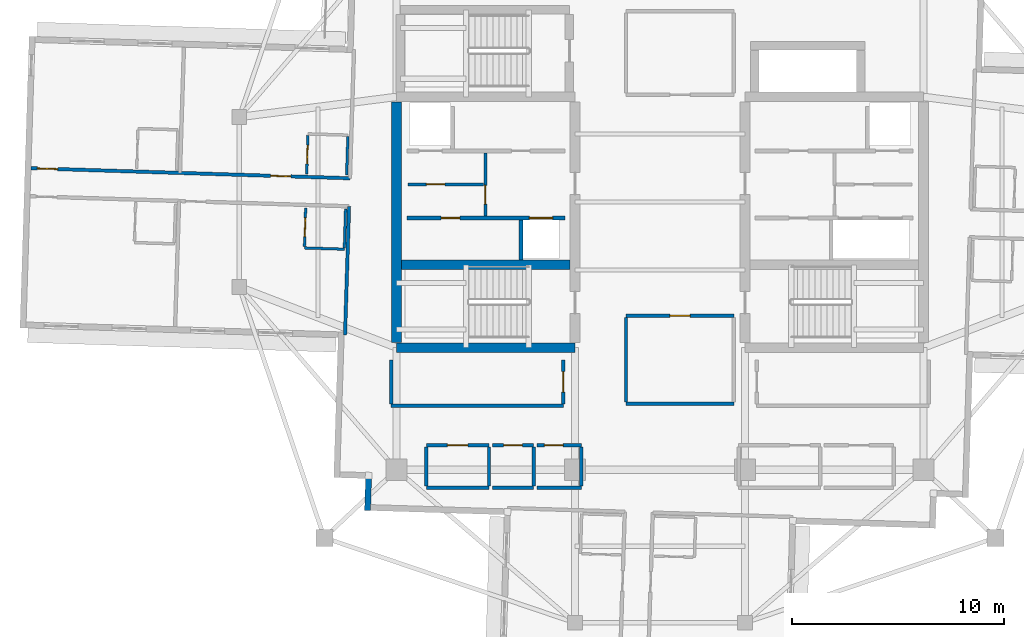
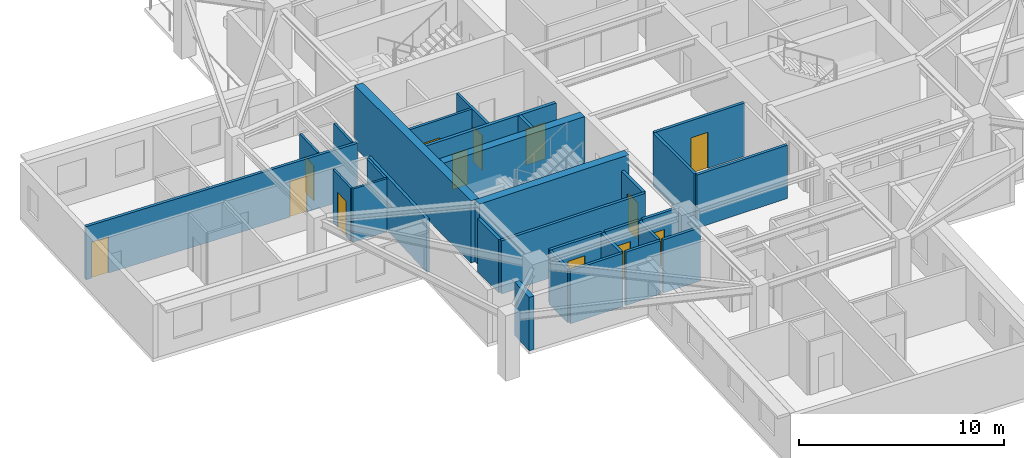
# One storey, part 4 of 13: 31 walls, 13 doors, 13 openings.
"""IFC4 building model written with IfcOpenShell, lengths in metres."""

from ifc_helpers import new_model, si_unit, direction, frame, frame_2d, origin, place, context, subcontext, project, spatial, rectangle, extrude, material, layer, layer_set, type_object, element, fill, save


model = new_model("IFC4")

# Units and contexts
model_context = context("Model", 3, precision=1e-05, world=origin(), true_north=direction((0.0, 1.0)))
body_context = subcontext(model_context, "Body", "Model", "MODEL_VIEW")
ifc_project = project(units=[si_unit("LENGTHUNIT", "METRE"), si_unit("AREAUNIT", "SQUARE_METRE"), si_unit("VOLUMEUNIT", "CUBIC_METRE"), si_unit("PLANEANGLEUNIT", "RADIAN"), si_unit("MASSUNIT", "GRAM", prefix="KILO")], contexts=[model_context])

# Site, building, storey
site_placement = place(None, origin())
site = spatial("IfcSite", under=ifc_project, at=site_placement, CompositionType="ELEMENT")
building_placement = place(site_placement, origin())
building = spatial("IfcBuilding", under=site, at=building_placement, Name="Qingluan Cross Belvedere", CompositionType="ELEMENT")
storey_placement = place(building_placement, frame((0.0, 0.0, 257.699951171875)))
storey = spatial("IfcBuildingStorey", under=building, at=storey_placement, Name="L64", CompositionType="ELEMENT", Elevation=257.699951171875)

# Walls
ifc_material_1 = material(Name="Concrete C50", Category="concrete")
ifc_layer_1 = layer(ifc_material_1, 0.449951171875, Name="CoreShearWall_450")
ifc_layer_set_1 = layer_set([ifc_layer_1], Name="Concrete C50")
wall_type_1 = type_object("IfcWallType", Name="CoreShearWall_450", PredefinedType="SHEAR", material=ifc_layer_set_1)
wall_1_placement = place(storey_placement, frame((-12.39990234375, -6.85009765625, 0.0), z_axis=(0.0, 0.0, 1.0), x_axis=(1.0, 0.0, 0.0)))
element("IfcWall", 1, at=wall_1_placement, inside=storey, type_object=wall_type_1, Name="Split core W shear wall L64-S", PredefinedType="SHEAR", context=body_context, shape_type="SweptSolid", body=[
    extrude(rectangle(XDim=8.39990234375, YDim=0.449951171875, at=frame_2d((4.199951171875, 0.0))), origin(), (0.0, 0.0, 1.0), 3.699951171875),
])
wall_2_placement = place(storey_placement, frame((-12.39990234375, -6.6201171875, 0.0), z_axis=(0.0, 0.0, 1.0), x_axis=(0.0, 1.0, 0.0)))
element("IfcWall", 2, at=wall_2_placement, inside=storey, type_object=wall_type_1, Name="Split core W shear wall L64-W", PredefinedType="SHEAR", context=body_context, shape_type="SweptSolid", body=[
    extrude(rectangle(XDim=11.340087890625, YDim=0.449951171875, at=frame_2d((5.669921875, 0.0))), origin(), (0.0, 0.0, 1.0), 3.699951171875),
])
wall_3_placement = place(storey_placement, frame((-12.169921875, -2.9599609375, 0.0), z_axis=(0.0, 0.0, 1.0), x_axis=(1.0, 0.0, 0.0)))
element("IfcWall", 3, at=wall_3_placement, inside=storey, type_object=wall_type_1, Name="Split core W shear wall L64-M", PredefinedType="SHEAR", context=body_context, shape_type="SweptSolid", body=[
    extrude(rectangle(XDim=7.93994140625, YDim=0.449951171875, at=frame_2d((3.969970703125, 0.0))), origin(), (0.0, 0.0, 1.0), 3.699951171875),
])

# Wall, opening, door
ifc_material_2 = material(Name="Gypsum plasterboard on steel stud acoustic partition", Category="steel")
ifc_layer_2 = layer(ifc_material_2, 0.159912109375, Name="CorridorPartition_160")
ifc_layer_set_2 = layer_set([ifc_layer_2], Name="Gypsum plasterboard on steel stud acoustic partition")
wall_type_2 = type_object("IfcWallType", Name="CorridorPartition_160", PredefinedType="PARTITIONING", material=ifc_layer_set_2)
wall_4_placement = place(storey_placement, frame((-11.85009765625, 0.830078125, 0.0), z_axis=(0.0, 0.0, 1.0), x_axis=(1.0, 0.0, 0.0)))
wall_4 = element("IfcWall", 4, at=wall_4_placement, inside=storey, type_object=wall_type_2, Name="Partition L64:w", PredefinedType="PARTITIONING", context=body_context, shape_type="SweptSolid", body=[
    extrude(rectangle(XDim=3.552001953125, YDim=0.139892578125, at=frame_2d((1.77587890625, 0.0))), origin(), (0.0, 0.0, 1.0), 3.170166015625),
])
opening_1_placement = place(wall_4_placement, frame((0.85009765625, 0.0, 0.0)))
opening_1 = element("IfcOpeningElement", 5, at=opening_1_placement, cuts=wall_4, Name="Opening FD-B10", PredefinedType="OPENING", context=body_context, shape_type="SweptSolid", body=[
    extrude(rectangle(XDim=0.8798828125, YDim=2.10009765625, at=frame_2d((0.43994140625, 1.050048828125))), frame((0.0, 0.079833984375, 0.0), z_axis=(0.0, -1.0, 0.0), x_axis=(1.0, 0.0, 0.0)), (0.0, 0.0, 1.0), 0.159912109375),
])
ifc_material_3 = material(Name="Steel Class B service fire door", Category="steel")
door_type_1 = type_object("IfcDoorType", Name="RiserServiceFireDoor_FDB", OperationType="NOTDEFINED", PredefinedType="DOOR", material=ifc_material_3)
door_1_placement = place(opening_1_placement, origin())
door_1 = element("IfcDoor", 6, at=door_1_placement, inside=storey, type_object=door_type_1, Name="Service closet inner door L64", OperationType="SINGLE_SWING_LEFT", OverallHeight=2.10009765625, OverallWidth=0.8798828125, PredefinedType="DOOR", context=body_context, shape_type="SweptSolid", body=[
    extrude(rectangle(XDim=0.8798828125, YDim=2.10009765625, at=frame_2d((0.43994140625, 1.050048828125))), frame((0.0, 0.02490234375, 0.0), z_axis=(0.0, -1.0, 0.0), x_axis=(1.0, 0.0, 0.0)), (0.0, 0.0, 1.0), 0.050048828125),
])
fill(opening_1, door_1)

# Wall
wall_5_placement = place(storey_placement, frame((-11.0, -13.449951171875, 0.0), z_axis=(0.0, 0.0, 1.0), x_axis=(1.0, 0.0, 0.0)))
element("IfcWall", 7, at=wall_5_placement, inside=storey, type_object=wall_type_2, Name="Partition L64:q_sw_occ:S", PredefinedType="PARTITIONING", context=body_context, shape_type="SweptSolid", body=[
    extrude(rectangle(XDim=2.949951171875, YDim=0.159912109375, at=frame_2d((1.47509765625, 0.0))), origin(), (0.0, 0.0, 1.0), 3.170166015625),
])

# Wall, opening, door
wall_6_placement = place(storey_placement, frame((-11.0, -11.449951171875, 0.0), z_axis=(0.0, 0.0, 1.0), x_axis=(1.0, 0.0, 0.0)))
wall_6 = element("IfcWall", 8, at=wall_6_placement, inside=storey, type_object=wall_type_2, Name="Partition L64:q_sw_occ:N", PredefinedType="PARTITIONING", context=body_context, shape_type="SweptSolid", body=[
    extrude(rectangle(XDim=2.949951171875, YDim=0.159912109375, at=frame_2d((1.47509765625, 0.0))), origin(), (0.0, 0.0, 1.0), 3.170166015625),
])
opening_2_placement = place(wall_6_placement, frame((0.9951171875, 0.0, 0.0)))
opening_2 = element("IfcOpeningElement", 9, at=opening_2_placement, cuts=wall_6, Name="Opening GD-10", PredefinedType="OPENING", context=body_context, shape_type="SweptSolid", body=[
    extrude(rectangle(XDim=0.9599609375, YDim=2.14990234375, at=frame_2d((0.47998046875, 1.074951171875))), frame((0.0, 0.08984375, 0.0), z_axis=(0.0, -1.0, 0.0), x_axis=(1.0, 0.0, 0.0)), (0.0, 0.0, 1.0), 0.179931640625),
])
ifc_material_4 = material(Name="Timber oak fire-rated acoustic guestroom door", Category="wood")
door_type_2 = type_object("IfcDoorType", Name="GuestEntryDoor_FD60", OperationType="NOTDEFINED", PredefinedType="DOOR", material=ifc_material_4)
door_2_placement = place(opening_2_placement, origin())
door_2 = element("IfcDoor", 10, at=door_2_placement, inside=storey, type_object=door_type_2, Name="Advisory boardroom L64 door", OperationType="SINGLE_SWING_RIGHT", OverallHeight=2.14990234375, OverallWidth=0.9599609375, PredefinedType="DOOR", context=body_context, shape_type="SweptSolid", body=[
    extrude(rectangle(XDim=0.9599609375, YDim=2.14990234375, at=frame_2d((0.47998046875, 1.074951171875))), frame((0.0, 0.02490234375, 0.0), z_axis=(0.0, -1.0, 0.0), x_axis=(1.0, 0.0, 0.0)), (0.0, 0.0, 1.0), 0.050048828125),
])
fill(opening_2, door_2)

# Walls
for number, where, z_axis, x_axis, name in (
    (11, (-11.0, -13.364990234375, 0.0), (0.0, 0.0, 1.0), (0.0, 1.0, 0.0), "Partition L64:q_sw_occ:W"),
    (12, (-8.050048828125, -13.364990234375, 0.0), (0.0, 0.0, 1.0), (0.0, 1.0, 0.0), "Partition L64:q_sw_occ:E"),
):
    element("IfcWall", number, at=place(storey_placement, frame(where, z_axis=z_axis, x_axis=x_axis)), inside=storey, type_object=wall_type_2, Name=name, PredefinedType="PARTITIONING", context=body_context, shape_type="SweptSolid", body=[
        extrude(rectangle(XDim=1.830078125, YDim=0.159912109375, at=frame_2d((0.9150390625, 0.0))), origin(), (0.0, 0.0, 1.0), 3.170166015625),
    ])
wall_7_placement = place(storey_placement, frame((-7.889892578125, -13.449951171875, 0.0), z_axis=(0.0, 0.0, 1.0), x_axis=(1.0, 0.0, 0.0)))
element("IfcWall", 13, at=wall_7_placement, inside=storey, type_object=wall_type_2, Name="Partition L64:hk_linen:S", PredefinedType="PARTITIONING", context=body_context, shape_type="SweptSolid", body=[
    extrude(rectangle(XDim=1.93994140625, YDim=0.159912109375, at=frame_2d((0.969970703125, 0.0))), origin(), (0.0, 0.0, 1.0), 3.170166015625),
])

# Wall, opening, door
wall_8_placement = place(storey_placement, frame((-7.889892578125, -11.449951171875, 0.0), z_axis=(0.0, 0.0, 1.0), x_axis=(1.0, 0.0, 0.0)))
wall_8 = element("IfcWall", 14, at=wall_8_placement, inside=storey, type_object=wall_type_2, Name="Partition L64:hk_linen:N", PredefinedType="PARTITIONING", context=body_context, shape_type="SweptSolid", body=[
    extrude(rectangle(XDim=1.93994140625, YDim=0.159912109375, at=frame_2d((0.969970703125, 0.0))), origin(), (0.0, 0.0, 1.0), 3.170166015625),
])
opening_3_placement = place(wall_8_placement, frame((0.530029296875, 0.0, 0.0)))
opening_3 = element("IfcOpeningElement", 15, at=opening_3_placement, cuts=wall_8, Name="Opening FD-B10", PredefinedType="OPENING", context=body_context, shape_type="SweptSolid", body=[
    extrude(rectangle(XDim=0.8798828125, YDim=2.10009765625, at=frame_2d((0.43994140625, 1.050048828125))), frame((0.0, 0.08984375, 0.0), z_axis=(0.0, -1.0, 0.0), x_axis=(1.0, 0.0, 0.0)), (0.0, 0.0, 1.0), 0.179931640625),
])
door_3_placement = place(opening_3_placement, origin())
door_3 = element("IfcDoor", 16, at=door_3_placement, inside=storey, type_object=door_type_1, Name="Housekeeping and linen store L64 door", OperationType="SINGLE_SWING_LEFT", OverallHeight=2.10009765625, OverallWidth=0.8798828125, PredefinedType="DOOR", context=body_context, shape_type="SweptSolid", body=[
    extrude(rectangle(XDim=0.8798828125, YDim=2.10009765625, at=frame_2d((0.43994140625, 1.050048828125))), frame((0.0, 0.02490234375, 0.0), z_axis=(0.0, -1.0, 0.0), x_axis=(1.0, 0.0, 0.0)), (0.0, 0.0, 1.0), 0.050048828125),
])
fill(opening_3, door_3)

# Walls
wall_9_placement = place(storey_placement, frame((-5.949951171875, -13.364990234375, 0.0), z_axis=(0.0, 0.0, 1.0), x_axis=(0.0, 1.0, 0.0)))
element("IfcWall", 17, at=wall_9_placement, inside=storey, type_object=wall_type_2, Name="Partition L64:hk_linen:E", PredefinedType="PARTITIONING", context=body_context, shape_type="SweptSolid", body=[
    extrude(rectangle(XDim=1.830078125, YDim=0.159912109375, at=frame_2d((0.9150390625, 0.0))), origin(), (0.0, 0.0, 1.0), 3.170166015625),
])
wall_10_placement = place(storey_placement, frame((-5.7900390625, -13.449951171875, 0.0), z_axis=(0.0, 0.0, 1.0), x_axis=(1.0, 0.0, 0.0)))
element("IfcWall", 18, at=wall_10_placement, inside=storey, type_object=wall_type_2, Name="Partition L64:floor_acc_wc:S", PredefinedType="PARTITIONING", context=body_context, shape_type="SweptSolid", body=[
    extrude(rectangle(XDim=2.090087890625, YDim=0.159912109375, at=frame_2d((1.044921875, 0.0))), origin(), (0.0, 0.0, 1.0), 3.170166015625),
])

# Wall, opening, door
wall_11_placement = place(storey_placement, frame((-5.7900390625, -11.449951171875, 0.0), z_axis=(0.0, 0.0, 1.0), x_axis=(1.0, 0.0, 0.0)))
wall_11 = element("IfcWall", 19, at=wall_11_placement, inside=storey, type_object=wall_type_2, Name="Partition L64:floor_acc_wc:N", PredefinedType="PARTITIONING", context=body_context, shape_type="SweptSolid", body=[
    extrude(rectangle(XDim=2.090087890625, YDim=0.159912109375, at=frame_2d((1.044921875, 0.0))), origin(), (0.0, 0.0, 1.0), 3.170166015625),
])
opening_4_placement = place(wall_11_placement, frame((0.35009765625, 0.0, 0.0)))
opening_4 = element("IfcOpeningElement", 20, at=opening_4_placement, cuts=wall_11, Name="Opening BD-08", PredefinedType="OPENING", context=body_context, shape_type="SweptSolid", body=[
    extrude(rectangle(XDim=0.8798828125, YDim=2.14990234375, at=frame_2d((0.43994140625, 1.074951171875))), frame((0.0, 0.08984375, 0.0), z_axis=(0.0, -1.0, 0.0), x_axis=(1.0, 0.0, 0.0)), (0.0, 0.0, 1.0), 0.179931640625),
])
ifc_material_5 = material(Name="Moisture-sealed timber accessible WC door", Category="wood")
door_type_3 = type_object("IfcDoorType", Name="AccessibleWCDoor_880", OperationType="NOTDEFINED", PredefinedType="DOOR", material=ifc_material_5)
door_4_placement = place(opening_4_placement, origin())
door_4 = element("IfcDoor", 21, at=door_4_placement, inside=storey, type_object=door_type_3, Name="Accessible guest washroom L64 door", OperationType="SINGLE_SWING_RIGHT", OverallHeight=2.14990234375, OverallWidth=0.8798828125, PredefinedType="DOOR", context=body_context, shape_type="SweptSolid", body=[
    extrude(rectangle(XDim=0.8798828125, YDim=2.14990234375, at=frame_2d((0.43994140625, 1.074951171875))), frame((0.0, 0.02490234375, 0.0), z_axis=(0.0, -1.0, 0.0), x_axis=(1.0, 0.0, 0.0)), (0.0, 0.0, 1.0), 0.050048828125),
])
fill(opening_4, door_4)

# Walls
wall_12_placement = place(storey_placement, frame((-3.699951171875, -13.364990234375, 0.0), z_axis=(0.0, 0.0, 1.0), x_axis=(0.0, 1.0, 0.0)))
element("IfcWall", 22, at=wall_12_placement, inside=storey, type_object=wall_type_2, Name="Partition L64:floor_acc_wc:E", PredefinedType="PARTITIONING", context=body_context, shape_type="SweptSolid", body=[
    extrude(rectangle(XDim=1.830078125, YDim=0.159912109375, at=frame_2d((0.9150390625, 0.0))), origin(), (0.0, 0.0, 1.0), 3.170166015625),
])
wall_13_placement = place(storey_placement, frame((-1.60009765625, -9.5, 0.0), z_axis=(0.0, 0.0, 1.0), x_axis=(1.0, 0.0, 0.0)))
element("IfcWall", 23, at=wall_13_placement, inside=storey, type_object=wall_type_2, Name="Partition L64:sky_south_alcove:S", PredefinedType="PARTITIONING", context=body_context, shape_type="SweptSolid", body=[
    extrude(rectangle(XDim=5.080078125, YDim=0.159912109375, at=frame_2d((2.5400390625, 0.0))), origin(), (0.0, 0.0, 1.0), 3.170166015625),
])

# Wall, opening, door
wall_14_placement = place(storey_placement, frame((-1.60009765625, -5.35009765625, 0.0), z_axis=(0.0, 0.0, 1.0), x_axis=(1.0, 0.0, 0.0)))
wall_14 = element("IfcWall", 24, at=wall_14_placement, inside=storey, type_object=wall_type_2, Name="Partition L64:sky_south_alcove:N", PredefinedType="PARTITIONING", context=body_context, shape_type="SweptSolid", body=[
    extrude(rectangle(XDim=5.080078125, YDim=0.159912109375, at=frame_2d((2.5400390625, 0.0))), origin(), (0.0, 0.0, 1.0), 3.170166015625),
])
opening_5_placement = place(wall_14_placement, frame((2.06005859375, 0.0, 0.0)))
opening_5 = element("IfcOpeningElement", 25, at=opening_5_placement, cuts=wall_14, Name="Opening GD-10", PredefinedType="OPENING", context=body_context, shape_type="SweptSolid", body=[
    extrude(rectangle(XDim=0.9599609375, YDim=2.14990234375, at=frame_2d((0.47998046875, 1.074951171875))), frame((0.0, 0.08984375, 0.0), z_axis=(0.0, -1.0, 0.0), x_axis=(1.0, 0.0, 0.0)), (0.0, 0.0, 1.0), 0.179931640625),
])
door_5_placement = place(opening_5_placement, origin())
door_5 = element("IfcDoor", 26, at=door_5_placement, inside=storey, type_object=door_type_2, Name="South horizon reading alcove L64 door", OperationType="SINGLE_SWING_RIGHT", OverallHeight=2.14990234375, OverallWidth=0.9599609375, PredefinedType="DOOR", context=body_context, shape_type="SweptSolid", body=[
    extrude(rectangle(XDim=0.9599609375, YDim=2.14990234375, at=frame_2d((0.47998046875, 1.074951171875))), frame((0.0, 0.02490234375, 0.0), z_axis=(0.0, -1.0, 0.0), x_axis=(1.0, 0.0, 0.0)), (0.0, 0.0, 1.0), 0.050048828125),
])
fill(opening_5, door_5)

# Walls
wall_15_placement = place(storey_placement, frame((-1.60009765625, -9.4150390625, 0.0), z_axis=(0.0, 0.0, 1.0), x_axis=(0.0, 1.0, 0.0)))
element("IfcWall", 27, at=wall_15_placement, inside=storey, type_object=wall_type_2, Name="Partition L64:sky_south_alcove:W", PredefinedType="PARTITIONING", context=body_context, shape_type="SweptSolid", body=[
    extrude(rectangle(XDim=3.97998046875, YDim=0.159912109375, at=frame_2d((1.989990234375, 0.0))), origin(), (0.0, 0.0, 1.0), 3.170166015625),
])
wall_16_placement = place(storey_placement, frame((-12.64990234375, -9.580078125, 0.0), z_axis=(0.0, 0.0, 1.0), x_axis=(1.0, 0.0, 0.0)))
element("IfcWall", 28, at=wall_16_placement, inside=storey, type_object=wall_type_2, Name="Partition L64:rec_st4_w:S", PredefinedType="PARTITIONING", context=body_context, shape_type="SweptSolid", body=[
    extrude(rectangle(XDim=8.099853515625, YDim=0.159912109375, at=frame_2d((4.0498046875, 0.0))), origin(), (0.0, 0.0, 1.0), 3.170166015625),
])
wall_17_placement = place(storey_placement, frame((-12.64990234375, -9.4951171875, 0.0), z_axis=(0.0, 0.0, 1.0), x_axis=(0.0, 1.0, 0.0)))
element("IfcWall", 29, at=wall_17_placement, inside=storey, type_object=wall_type_2, Name="Partition L64:rec_st4_w:W", PredefinedType="PARTITIONING", context=body_context, shape_type="SweptSolid", body=[
    extrude(rectangle(XDim=2.06005859375, YDim=0.159912109375, at=frame_2d((1.030029296875, 0.0))), origin(), (0.0, 0.0, 1.0), 3.170166015625),
])

# Wall, opening, door
wall_18_placement = place(storey_placement, frame((-4.550048828125, -9.4951171875, 0.0), z_axis=(0.0, 0.0, 1.0), x_axis=(0.0, 1.0, 0.0)))
wall_18 = element("IfcWall", 30, at=wall_18_placement, inside=storey, type_object=wall_type_2, Name="Partition L64:rec_st4_w:E", PredefinedType="PARTITIONING", context=body_context, shape_type="SweptSolid", body=[
    extrude(rectangle(XDim=2.06005859375, YDim=0.159912109375, at=frame_2d((1.030029296875, 0.0))), origin(), (0.0, 0.0, 1.0), 3.170166015625),
])
opening_6_placement = place(wall_18_placement, frame((0.550048828125, 0.0, 0.0)))
opening_6 = element("IfcOpeningElement", 31, at=opening_6_placement, cuts=wall_18, Name="Opening GD-10", PredefinedType="OPENING", context=body_context, shape_type="SweptSolid", body=[
    extrude(rectangle(XDim=0.9599609375, YDim=2.14990234375, at=frame_2d((0.47998046875, 1.074951171875))), frame((0.0, 0.08984375, 0.0), z_axis=(0.0, -1.0, 0.0), x_axis=(1.0, 0.0, 0.0)), (0.0, 0.0, 1.0), 0.179931640625),
])
door_6_placement = place(opening_6_placement, origin())
door_6 = element("IfcDoor", 32, at=door_6_placement, inside=storey, type_object=door_type_2, Name="Southwest club reading room L64 door", OperationType="SINGLE_SWING_RIGHT", OverallHeight=2.14990234375, OverallWidth=0.9599609375, PredefinedType="DOOR", context=body_context, shape_type="SweptSolid", body=[
    extrude(rectangle(XDim=0.9599609375, YDim=2.14990234375, at=frame_2d((0.47998046875, 1.074951171875))), frame((0.0, 0.02490234375, 0.0), z_axis=(0.0, -1.0, 0.0), x_axis=(1.0, 0.0, 0.0)), (0.0, 0.0, 1.0), 0.050048828125),
])
fill(opening_6, door_6)

# Wall, openings, doors
wall_19_placement = place(storey_placement, frame((-14.592041015625, 1.118896484375, 0.0), z_axis=(0.0, 0.0, 1.0), x_axis=(-0.999506267701, 0.03142007044, 0.0)))
wall_19 = element("IfcWall", 33, at=wall_19_placement, inside=storey, type_object=wall_type_2, Name="Partition L64:W:c0", PredefinedType="PARTITIONING", context=body_context, shape_type="SweptSolid", body=[
    extrude(rectangle(XDim=15.011962890625, YDim=0.159912109375, at=frame_2d((7.505859375, 0.0))), origin(), (0.0, 0.0, 1.0), 3.170166015625),
])
opening_7_placement = place(wall_19_placement, frame((2.780029296875, 0.0, 0.0)))
opening_7 = element("IfcOpeningElement", 34, at=opening_7_placement, cuts=wall_19, Name="Opening GD-10", PredefinedType="OPENING", context=body_context, shape_type="SweptSolid", body=[
    extrude(rectangle(XDim=0.9599609375, YDim=2.14990234375, at=frame_2d((0.47998046875, 1.074951171875))), frame((0.0, 0.08984375, 0.0), z_axis=(0.0, -1.0, 0.0), x_axis=(1.0, 0.0, 0.0)), (0.0, 0.0, 1.0), 0.179931640625),
])
opening_8_placement = place(wall_19_placement, frame((13.760009765625, 0.0, 0.0)))
opening_8 = element("IfcOpeningElement", 35, at=opening_8_placement, cuts=wall_19, Name="Opening GD-10", PredefinedType="OPENING", context=body_context, shape_type="SweptSolid", body=[
    extrude(rectangle(XDim=0.9599609375, YDim=2.14990234375, at=frame_2d((0.47998046875, 1.074951171875))), frame((0.0, 0.08984375, 0.0), z_axis=(0.0, -1.0, 0.0), x_axis=(1.0, 0.0, 0.0)), (0.0, 0.0, 1.0), 0.179931640625),
])
door_7_placement = place(opening_7_placement, origin())
door_7 = element("IfcDoor", 36, at=door_7_placement, inside=storey, type_object=door_type_2, Name="Guest entry fire door 6405", OperationType="SINGLE_SWING_LEFT", OverallHeight=2.14990234375, OverallWidth=0.9599609375, PredefinedType="DOOR", context=body_context, shape_type="SweptSolid", body=[
    extrude(rectangle(XDim=0.9599609375, YDim=2.14990234375, at=frame_2d((0.47998046875, 1.074951171875))), frame((0.0, 0.02490234375, 0.0), z_axis=(0.0, -1.0, 0.0), x_axis=(1.0, 0.0, 0.0)), (0.0, 0.0, 1.0), 0.050048828125),
])
fill(opening_7, door_7)
door_8_placement = place(opening_8_placement, origin())
door_8 = element("IfcDoor", 37, at=door_8_placement, inside=storey, type_object=door_type_2, Name="Guest entry fire door 6406", OperationType="SINGLE_SWING_LEFT", OverallHeight=2.14990234375, OverallWidth=0.9599609375, PredefinedType="DOOR", context=body_context, shape_type="SweptSolid", body=[
    extrude(rectangle(XDim=0.9599609375, YDim=2.14990234375, at=frame_2d((0.47998046875, 1.074951171875))), frame((0.0, 0.02490234375, 0.0), z_axis=(0.0, -1.0, 0.0), x_axis=(1.0, 0.0, 0.0)), (0.0, 0.0, 1.0), 0.050048828125),
])
fill(opening_8, door_8)

# Wall
wall_20_placement = place(storey_placement, frame((-14.633544921875, -0.200439453125, 0.0), z_axis=(0.0, 0.0, 1.0), x_axis=(-0.031423410194, -0.999506162708, 0.0)))
element("IfcWall", 38, at=wall_20_placement, inside=storey, type_object=wall_type_2, Name="Partition L64:W:s1", PredefinedType="PARTITIONING", context=body_context, shape_type="SweptSolid", body=[
    extrude(rectangle(XDim=6.06005859375, YDim=0.159912109375, at=frame_2d((3.030029296875, 0.0))), origin(), (0.0, 0.0, 1.0), 3.170166015625),
])

# Wall, opening, door
ifc_material_6 = material(Name="Moisture-resistant gypsum board lining")
ifc_layer_3 = layer(ifc_material_6, 0.1201171875, Name="EnsuiteWetPartition_120")
ifc_layer_set_3 = layer_set([ifc_layer_3], Name="Moisture-resistant gypsum board lining")
wall_type_3 = type_object("IfcWallType", Name="EnsuiteWetPartition_120", PredefinedType="PARTITIONING", material=ifc_layer_set_3)
wall_21_placement = place(storey_placement, frame((-16.626708984375, 1.322998046875, 0.0), z_axis=(0.0, 0.0, 1.0), x_axis=(0.031389704724, 0.999507221803, 0.0)))
wall_21 = element("IfcWall", 39, at=wall_21_placement, inside=storey, type_object=wall_type_3, Name="Partition L64:W:bs0_0", PredefinedType="PARTITIONING", context=body_context, shape_type="SweptSolid", body=[
    extrude(rectangle(XDim=1.820068359375, YDim=0.1201171875, at=frame_2d((0.91015625, 0.0))), origin(), (0.0, 0.0, 1.0), 3.170166015625),
])
opening_9_placement = place(wall_21_placement, frame((0.469970703125, 0.0, 0.0)))
opening_9 = element("IfcOpeningElement", 40, at=opening_9_placement, cuts=wall_21, Name="Opening BD-09", PredefinedType="OPENING", context=body_context, shape_type="SweptSolid", body=[
    extrude(rectangle(XDim=0.8798828125, YDim=2.10009765625, at=frame_2d((0.43994140625, 1.050048828125))), frame((0.0, 0.070068359375, 0.0), z_axis=(0.0, -1.0, 0.0), x_axis=(1.0, 0.0, 0.0)), (0.0, 0.0, 1.0), 0.14013671875),
])
ifc_material_7 = material(Name="Moisture-sealed timber en-suite door", Category="wood")
door_type_4 = type_object("IfcDoorType", Name="BathroomDoor_880", OperationType="NOTDEFINED", PredefinedType="DOOR", material=ifc_material_7)
door_9_placement = place(opening_9_placement, origin())
door_9 = element("IfcDoor", 41, at=door_9_placement, inside=storey, type_object=door_type_4, Name="Bathroom door 6405", OperationType="SINGLE_SWING_RIGHT", OverallHeight=2.10009765625, OverallWidth=0.8798828125, PredefinedType="DOOR", context=body_context, shape_type="SweptSolid", body=[
    extrude(rectangle(XDim=0.8798828125, YDim=2.10009765625, at=frame_2d((0.43994140625, 1.050048828125))), frame((0.0, 0.02490234375, 0.0), z_axis=(0.0, -1.0, 0.0), x_axis=(1.0, 0.0, 0.0)), (0.0, 0.0, 1.0), 0.050048828125),
])
fill(opening_9, door_9)

# Wall
wall_22_placement = place(storey_placement, frame((-14.74755859375, 1.263916015625, 0.0), z_axis=(0.0, 0.0, 1.0), x_axis=(0.031389704724, 0.999507221803, 0.0)))
element("IfcWall", 42, at=wall_22_placement, inside=storey, type_object=wall_type_3, Name="Partition L64:W:bw0_0", PredefinedType="PARTITIONING", context=body_context, shape_type="SweptSolid", body=[
    extrude(rectangle(XDim=1.820068359375, YDim=0.1201171875, at=frame_2d((0.91015625, 0.0))), origin(), (0.0, 0.0, 1.0), 3.170166015625),
])

# Wall, opening, door
wall_23_placement = place(storey_placement, frame((-16.734130859375, -2.095458984375, 0.0), z_axis=(0.0, 0.0, 1.0), x_axis=(0.031389704724, 0.999507221803, 0.0)))
wall_23 = element("IfcWall", 43, at=wall_23_placement, inside=storey, type_object=wall_type_3, Name="Partition L64:W:bs1_0", PredefinedType="PARTITIONING", context=body_context, shape_type="SweptSolid", body=[
    extrude(rectangle(XDim=1.820068359375, YDim=0.1201171875, at=frame_2d((0.91015625, 0.0))), origin(), (0.0, 0.0, 1.0), 3.170166015625),
])
opening_10_placement = place(wall_23_placement, frame((0.469970703125, 0.0, 0.0)))
opening_10 = element("IfcOpeningElement", 44, at=opening_10_placement, cuts=wall_23, Name="Opening BD-09", PredefinedType="OPENING", context=body_context, shape_type="SweptSolid", body=[
    extrude(rectangle(XDim=0.8798828125, YDim=2.10009765625, at=frame_2d((0.43994140625, 1.050048828125))), frame((0.0, 0.070068359375, 0.0), z_axis=(0.0, -1.0, 0.0), x_axis=(1.0, 0.0, 0.0)), (0.0, 0.0, 1.0), 0.14013671875),
])
door_10_placement = place(opening_10_placement, origin())
door_10 = element("IfcDoor", 45, at=door_10_placement, inside=storey, type_object=door_type_4, Name="Bathroom door 6407", OperationType="SINGLE_SWING_RIGHT", OverallHeight=2.10009765625, OverallWidth=0.8798828125, PredefinedType="DOOR", context=body_context, shape_type="SweptSolid", body=[
    extrude(rectangle(XDim=0.8798828125, YDim=2.10009765625, at=frame_2d((0.43994140625, 1.050048828125))), frame((0.0, 0.02490234375, 0.0), z_axis=(0.0, -1.0, 0.0), x_axis=(1.0, 0.0, 0.0)), (0.0, 0.0, 1.0), 0.050048828125),
])
fill(opening_10, door_10)

# Walls
wall_24_placement = place(storey_placement, frame((-14.85498046875, -2.154541015625, 0.0), z_axis=(0.0, 0.0, 1.0), x_axis=(0.031389704724, 0.999507221803, 0.0)))
element("IfcWall", 46, at=wall_24_placement, inside=storey, type_object=wall_type_3, Name="Partition L64:W:bw1_0", PredefinedType="PARTITIONING", context=body_context, shape_type="SweptSolid", body=[
    extrude(rectangle(XDim=1.820068359375, YDim=0.1201171875, at=frame_2d((0.91015625, 0.0))), origin(), (0.0, 0.0, 1.0), 3.170166015625),
])
wall_25_placement = place(storey_placement, frame((-14.85693359375, -2.219482421875, 0.0), z_axis=(0.0, 0.0, 1.0), x_axis=(-0.999506103526, 0.031425292588, 0.0)))
element("IfcWall", 47, at=wall_25_placement, inside=storey, type_object=wall_type_3, Name="Partition L64:W:bc1_0", PredefinedType="PARTITIONING", context=body_context, shape_type="SweptSolid", body=[
    extrude(rectangle(XDim=1.880126953125, YDim=0.1201171875, at=frame_2d((0.93994140625, 0.0))), origin(), (0.0, 0.0, 1.0), 3.170166015625),
])
ifc_material_8 = material(Name="Precast concrete C45", Category="concrete")
ifc_layer_4 = layer(ifc_material_8, 0.280029296875, Name="PrecastFacadeWall_280")
ifc_layer_set_4 = layer_set([ifc_layer_4], Name="Precast concrete C45")
wall_type_4 = type_object("IfcWallType", Name="PrecastFacadeWall_280", PredefinedType="STANDARD", material=ifc_layer_set_4)
wall_26_placement = place(storey_placement, frame((-13.715576171875, -13.015625, 0.0), z_axis=(0.0, 0.0, 1.0), x_axis=(-0.031412596484, -0.999506502621, 0.0)))
element("IfcWall", 48, at=wall_26_placement, inside=storey, type_object=wall_type_4, Name="Corner wall L64-SW3", PredefinedType="STANDARD", context=body_context, shape_type="SweptSolid", body=[
    extrude(rectangle(XDim=1.5, YDim=0.280029296875, at=frame_2d((0.75, 0.0))), origin(), (0.0, 0.0, 1.0), 3.179931640625),
])

# Wall, openings, doors
ifc_material_9 = material(Name="Concrete C40", Category="concrete")
ifc_layer_5 = layer(ifc_material_9, 0.219970703125, Name="ShaftEnclosureWall_250")
ifc_layer_set_5 = layer_set([ifc_layer_5], Name="Concrete C40")
wall_type_5 = type_object("IfcWallType", Name="ShaftEnclosureWall_250", PredefinedType="SOLIDWALL", material=ifc_layer_set_5)
wall_27_placement = place(storey_placement, frame((-11.89990234375, -0.75, 0.0), z_axis=(0.0, 0.0, 1.0), x_axis=(1.0, 0.0, 0.0)))
wall_27 = element("IfcWall", 49, at=wall_27_placement, inside=storey, type_object=wall_type_5, Name="Core-W mid hoistway wall L64", PredefinedType="SOLIDWALL", context=body_context, shape_type="SweptSolid", body=[
    extrude(rectangle(XDim=7.419921875, YDim=0.179931640625, at=frame_2d((3.7099609375, 0.0))), origin(), (0.0, 0.0, 1.0), 3.170166015625),
])
opening_11_placement = place(wall_27_placement, frame((5.75, 0.0, 0.0)))
opening_11 = element("IfcOpeningElement", 50, at=opening_11_placement, cuts=wall_27, Name="Opening LD-11", PredefinedType="OPENING", context=body_context, shape_type="SweptSolid", body=[
    extrude(rectangle(XDim=1.10009765625, YDim=2.14990234375, at=frame_2d((0.550048828125, 1.074951171875))), frame((0.0, 0.099853515625, 0.0), z_axis=(0.0, -1.0, 0.0), x_axis=(1.0, 0.0, 0.0)), (0.0, 0.0, 1.0), 0.199951171875),
])
opening_12_placement = place(wall_27_placement, frame((1.60009765625, 0.0, 0.0)))
opening_12 = element("IfcOpeningElement", 51, at=opening_12_placement, cuts=wall_27, Name="Opening FD-B10", PredefinedType="OPENING", context=body_context, shape_type="SweptSolid", body=[
    extrude(rectangle(XDim=0.8798828125, YDim=2.10009765625, at=frame_2d((0.43994140625, 1.050048828125))), frame((0.0, 0.099853515625, 0.0), z_axis=(0.0, -1.0, 0.0), x_axis=(1.0, 0.0, 0.0)), (0.0, 0.0, 1.0), 0.199951171875),
])
ifc_material_10 = material(Name="Brushed stainless steel centre-opening lift landing door", Category="steel")
door_type_5 = type_object("IfcDoorType", Name="LiftLandingSlidingDoor_1100", OperationType="DOUBLE_DOOR_SLIDING", PredefinedType="DOOR", material=ifc_material_10)
door_11_placement = place(opening_11_placement, origin())
door_11 = element("IfcDoor", 52, at=door_11_placement, inside=storey, type_object=door_type_5, Name="Lift landing sliding door LP8 L64", OperationType="DOUBLE_DOOR_SLIDING", OverallHeight=2.14990234375, OverallWidth=1.10009765625, PredefinedType="DOOR", context=body_context, shape_type="SweptSolid", body=[
    extrude(rectangle(XDim=1.10009765625, YDim=2.14990234375, at=frame_2d((0.550048828125, 1.074951171875))), frame((0.0, 0.02490234375, 0.0), z_axis=(0.0, -1.0, 0.0), x_axis=(1.0, 0.0, 0.0)), (0.0, 0.0, 1.0), 0.050048828125),
])
fill(opening_11, door_11)
door_12_placement = place(opening_12_placement, origin())
door_12 = element("IfcDoor", 53, at=door_12_placement, inside=storey, type_object=door_type_1, Name="Upper-zone electrical room door L64", OperationType="SINGLE_SWING_LEFT", OverallHeight=2.10009765625, OverallWidth=0.8798828125, PredefinedType="DOOR", context=body_context, shape_type="SweptSolid", body=[
    extrude(rectangle(XDim=0.8798828125, YDim=2.10009765625, at=frame_2d((0.43994140625, 1.050048828125))), frame((0.0, 0.02490234375, 0.0), z_axis=(0.0, -1.0, 0.0), x_axis=(1.0, 0.0, 0.0)), (0.0, 0.0, 1.0), 0.050048828125),
])
fill(opening_12, door_12)

# Wall
wall_28_placement = place(storey_placement, frame((-6.5400390625, -2.72998046875, 0.0), z_axis=(0.0, 0.0, 1.0), x_axis=(0.0, 1.0, 0.0)))
element("IfcWall", 54, at=wall_28_placement, inside=storey, type_object=wall_type_5, Name="Hoistway enclosure divider LP8W L64", PredefinedType="SOLIDWALL", context=body_context, shape_type="SweptSolid", body=[
    extrude(rectangle(XDim=1.889892578125, YDim=0.179931640625, at=frame_2d((0.94482421875, 0.0))), origin(), (0.0, 0.0, 1.0), 3.170166015625),
])

# Wall, opening, door
wall_29_placement = place(storey_placement, frame((-8.219970703125, -0.64990234375, 0.0), z_axis=(0.0, 0.0, 1.0), x_axis=(0.0, 1.0, 0.0)))
wall_29 = element("IfcWall", 55, at=wall_29_placement, inside=storey, type_object=wall_type_5, Name="Core-W service corridor wall L64", PredefinedType="SOLIDWALL", context=body_context, shape_type="SweptSolid", body=[
    extrude(rectangle(XDim=2.9599609375, YDim=0.139892578125, at=frame_2d((1.47998046875, 0.0))), origin(), (0.0, 0.0, 1.0), 3.170166015625),
])
opening_13_placement = place(wall_29_placement, frame((0.550048828125, 0.0, 0.0)))
opening_13 = element("IfcOpeningElement", 56, at=opening_13_placement, cuts=wall_29, Name="Opening FD-B10", PredefinedType="OPENING", context=body_context, shape_type="SweptSolid", body=[
    extrude(rectangle(XDim=0.8798828125, YDim=2.10009765625, at=frame_2d((0.43994140625, 1.050048828125))), frame((0.0, 0.079833984375, 0.0), z_axis=(0.0, -1.0, 0.0), x_axis=(1.0, 0.0, 0.0)), (0.0, 0.0, 1.0), 0.159912109375),
])
door_13_placement = place(opening_13_placement, origin())
door_13 = element("IfcDoor", 57, at=door_13_placement, inside=storey, type_object=door_type_1, Name="Core-W service room door L64", OperationType="SINGLE_SWING_LEFT", OverallHeight=2.10009765625, OverallWidth=0.8798828125, PredefinedType="DOOR", context=body_context, shape_type="SweptSolid", body=[
    extrude(rectangle(XDim=0.8798828125, YDim=2.10009765625, at=frame_2d((0.43994140625, 1.050048828125))), frame((0.0, 0.02490234375, 0.0), z_axis=(0.0, -1.0, 0.0), x_axis=(1.0, 0.0, 0.0)), (0.0, 0.0, 1.0), 0.050048828125),
])
fill(opening_13, door_13)

save(model, "model.ifc")
